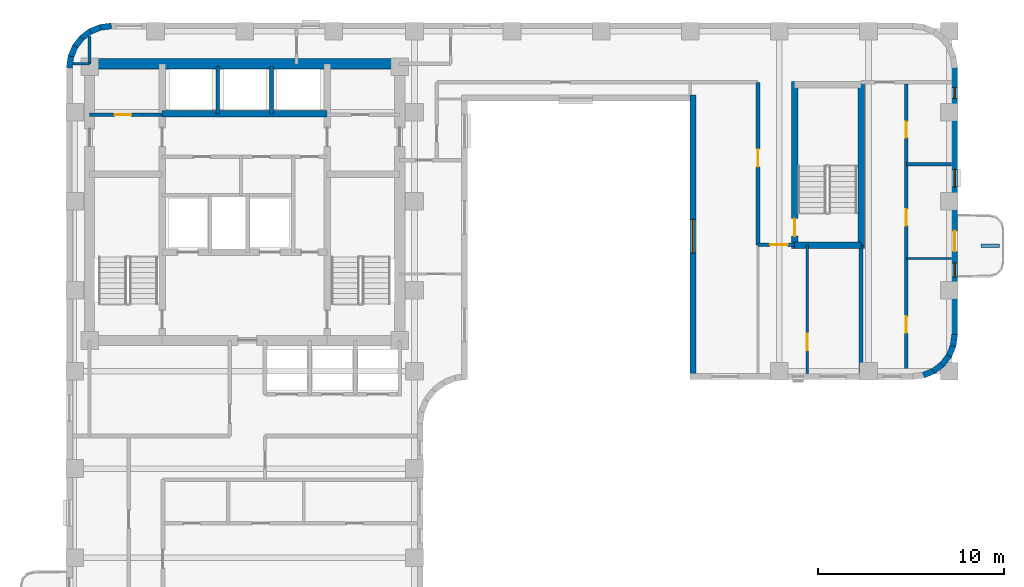
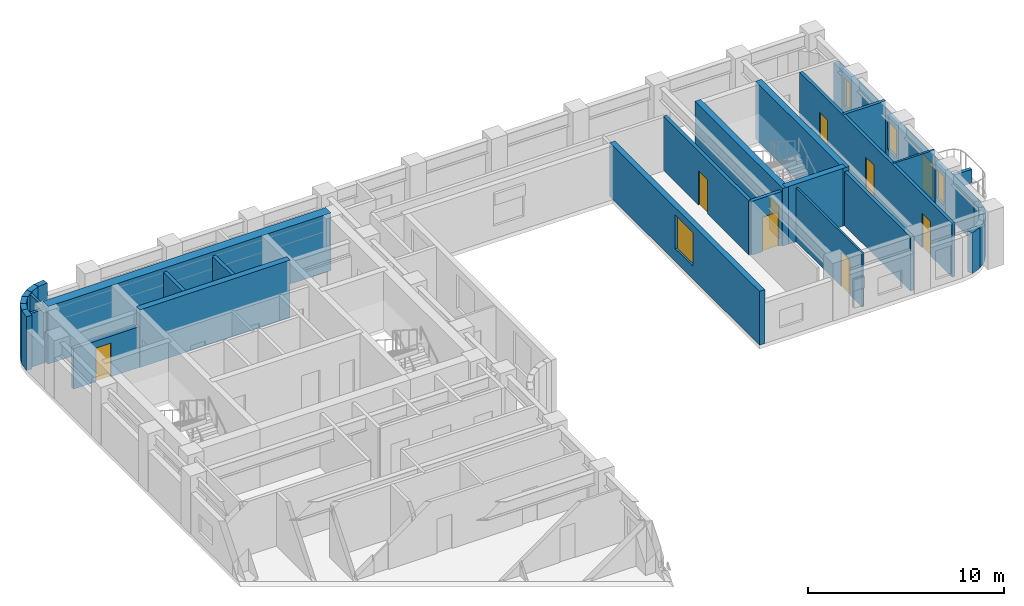
# One storey, part 5 of 9: 31 walls, 9 doors, 4 windows, 13 openings.
"""IFC4 building model written with IfcOpenShell, lengths in metres."""

from ifc_helpers import new_model, si_unit, direction, frame, frame_2d, origin, place, context, subcontext, project, spatial, rectangle, extrude, material, layer, layer_set, type_object, element, fill, save


model = new_model("IFC4")

# Units and contexts
model_context = context("Model", 3, precision=1e-05, world=origin(), true_north=direction((0.0, 1.0)))
body_context = subcontext(model_context, "Body", "Model", "MODEL_VIEW")
ifc_project = project(units=[si_unit("LENGTHUNIT", "METRE"), si_unit("AREAUNIT", "SQUARE_METRE"), si_unit("VOLUMEUNIT", "CUBIC_METRE"), si_unit("PLANEANGLEUNIT", "RADIAN"), si_unit("MASSUNIT", "GRAM", prefix="KILO")], contexts=[model_context])

# Site, building, storey
site_placement = place(None, origin())
site = spatial("IfcSite", under=ifc_project, at=site_placement, CompositionType="ELEMENT")
building_placement = place(site_placement, origin())
building = spatial("IfcBuilding", under=site, at=building_placement, Name="Orvandelia Arch Residences", CompositionType="ELEMENT")
storey_placement = place(building_placement, frame((0.0, 0.0, 186.39990234375)))
storey = spatial("IfcBuildingStorey", under=building, at=storey_placement, Name="L49", CompositionType="ELEMENT", Elevation=186.39990234375)

# Wall
ifc_material_1 = material(Name="Concrete C50/60", Category="concrete")
ifc_layer_1 = layer(ifc_material_1, 0.35009765625, Name="Concrete C50/60", Category="concrete")
ifc_layer_set_1 = layer_set([ifc_layer_1], Name="Concrete C50/60")
wall_type_1 = type_object("IfcWallType", Name="WL-CORE-350", PredefinedType="SHEAR", material=ifc_layer_set_1)
wall_1_placement = place(storey_placement, frame((9.9599609375, 43.10009765625, 0.0), z_axis=(0.0, 0.0, 1.0), x_axis=(1.0, 0.0, 0.0)))
element("IfcWall", 1, at=wall_1_placement, inside=storey, type_object=wall_type_1, Name="Core Shear Wall L49-HZ4", PredefinedType="SHEAR", context=body_context, shape_type="SweptSolid", body=[
    extrude(rectangle(XDim=8.880126953125, YDim=0.35009765625, at=frame_2d((4.43994140625, 0.0))), origin(), (0.0, 0.0, 1.0), 3.60009765625),
])

# Wall, opening, door
wall_2_placement = place(storey_placement, frame((44.02001953125, 35.864990234375, 0.0), z_axis=(0.0, 0.0, 1.0), x_axis=(0.0, 1.0, 0.0)))
wall_2 = element("IfcWall", 2, at=wall_2_placement, inside=storey, type_object=wall_type_1, Name="East Stair Core Shear Wall L49-W", PredefinedType="SHEAR", context=body_context, shape_type="SweptSolid", body=[
    extrude(rectangle(XDim=8.969970703125, YDim=0.35009765625, at=frame_2d((4.48486328125, 0.0))), origin(), (0.0, 0.0, 1.0), 3.60009765625),
])
opening_1_placement = place(wall_2_placement, frame((0.64990234375, 0.0, 0.0)))
opening_1 = element("IfcOpeningElement", 3, at=opening_1_placement, cuts=wall_2, Name="Opening D7", PredefinedType="OPENING", context=body_context, shape_type="SweptSolid", body=[
    extrude(rectangle(XDim=0.949951171875, YDim=2.10009765625, at=frame_2d((0.47509765625, 1.050048828125))), frame((0.0, 0.18505859375, 0.0), z_axis=(0.0, -1.0, 0.0), x_axis=(1.0, 0.0, 0.0)), (0.0, 0.0, 1.0), 0.3701171875),
])
ifc_material_2 = material(Name="Pressurised Stairwell Fire Door")
door_type_1 = type_object("IfcDoorType", Name="DR-STAIR-950", OperationType="NOTDEFINED", PredefinedType="DOOR", material=ifc_material_2)
door_1_placement = place(opening_1_placement, origin())
door_1 = element("IfcDoor", 4, at=door_1_placement, inside=storey, type_object=door_type_1, Name="East Stairwell ST-3 Fire Door L49", OperationType="SINGLE_SWING_LEFT", OverallHeight=2.10009765625, OverallWidth=0.949951171875, PredefinedType="DOOR", context=body_context, shape_type="SweptSolid", body=[
    extrude(rectangle(XDim=0.949951171875, YDim=2.10009765625, at=frame_2d((0.47509765625, 1.050048828125))), frame((0.0, 0.02490234375, 0.0), z_axis=(0.0, -1.0, 0.0), x_axis=(1.0, 0.0, 0.0)), (0.0, 0.0, 1.0), 0.050048828125),
])
fill(opening_1, door_1)

# Walls
wall_3_placement = place(storey_placement, frame((47.60009765625, 35.864990234375, 0.0), z_axis=(0.0, 0.0, 1.0), x_axis=(0.0, 1.0, 0.0)))
element("IfcWall", 5, at=wall_3_placement, inside=storey, type_object=wall_type_1, Name="East Stair Core Shear Wall L49-E", PredefinedType="SHEAR", context=body_context, shape_type="SweptSolid", body=[
    extrude(rectangle(XDim=8.969970703125, YDim=0.35009765625, at=frame_2d((4.48486328125, 0.0))), origin(), (0.0, 0.0, 1.0), 3.60009765625),
])
wall_4_placement = place(storey_placement, frame((44.02001953125, 36.0400390625, 0.0), z_axis=(0.0, 0.0, 1.0), x_axis=(1.0, 0.0, 0.0)))
element("IfcWall", 6, at=wall_4_placement, inside=storey, type_object=wall_type_1, Name="East Stair Core Shear Wall L49-S", PredefinedType="SHEAR", context=body_context, shape_type="SweptSolid", body=[
    extrude(rectangle(XDim=3.580078125, YDim=0.35009765625, at=frame_2d((1.7900390625, 0.0))), origin(), (0.0, 0.0, 1.0), 3.60009765625),
])
ifc_material_3 = material(Name="Concrete C60/75", Category="concrete")
ifc_layer_2 = layer(ifc_material_3, 0.550048828125, Name="Concrete C60/75", Category="concrete")
ifc_layer_set_2 = layer_set([ifc_layer_2], Name="Concrete C60/75")
wall_type_2 = type_object("IfcWallType", Name="WL-CORE-550", PredefinedType="SHEAR", material=ifc_layer_set_2)
wall_5_placement = place(storey_placement, frame((6.050048828125, 45.800048828125, 0.0), z_axis=(0.0, 0.0, 1.0), x_axis=(1.0, 0.0, 0.0)))
element("IfcWall", 7, at=wall_5_placement, inside=storey, type_object=wall_type_2, Name="Core Shear Wall L49-N", PredefinedType="SHEAR", context=body_context, shape_type="SweptSolid", body=[
    extrude(rectangle(XDim=16.699951171875, YDim=0.550048828125, at=frame_2d((8.35009765625, 0.0))), origin(), (0.0, 0.0, 1.0), 3.60009765625),
])

# Wall, opening, door
ifc_material_4 = material(Name="Fire-Rated Corridor Partition")
ifc_layer_3 = layer(ifc_material_4, 0.199951171875, Name="Fire-Rated Corridor Partition")
ifc_layer_set_3 = layer_set([ifc_layer_3], Name="Fire-Rated Corridor Partition")
wall_type_3 = type_object("IfcWallType", Name="WL-CORR-200", PredefinedType="PARTITIONING", material=ifc_layer_set_3)
wall_6_placement = place(storey_placement, frame((42.050048828125, 36.050048828125, 0.0), z_axis=(0.0, 0.0, 1.0), x_axis=(0.0, 1.0, 0.0)))
wall_6 = element("IfcWall", 8, at=wall_6_placement, inside=storey, type_object=wall_type_3, Name="Interior Partition Wall WL-L49-ENP-SW", PredefinedType="PARTITIONING", context=body_context, shape_type="SweptSolid", body=[
    extrude(rectangle(XDim=8.75, YDim=0.199951171875, at=frame_2d((4.375, 0.0))), origin(), (0.0, 0.0, 1.0), 3.360107421875),
])
opening_2_placement = place(wall_6_placement, frame((4.199951171875, 0.0, 0.0)))
opening_2 = element("IfcOpeningElement", 9, at=opening_2_placement, cuts=wall_6, Name="Opening D2", PredefinedType="OPENING", context=body_context, shape_type="SweptSolid", body=[
    extrude(rectangle(XDim=0.949951171875, YDim=2.14990234375, at=frame_2d((0.47509765625, 1.074951171875))), frame((0.0, 0.10986328125, 0.0), z_axis=(0.0, -1.0, 0.0), x_axis=(1.0, 0.0, 0.0)), (0.0, 0.0, 1.0), 0.219970703125),
])
ifc_material_5 = material(Name="Solid-Core Timber Interior Fire Door", Category="wood")
door_type_2 = type_object("IfcDoorType", Name="DR-APT-950", OperationType="NOTDEFINED", PredefinedType="DOOR", material=ifc_material_5)
door_2_placement = place(opening_2_placement, origin())
door_2 = element("IfcDoor", 10, at=door_2_placement, inside=storey, type_object=door_type_2, Name="DR-L49-VPE1", OperationType="SINGLE_SWING_LEFT", OverallHeight=2.14990234375, OverallWidth=0.949951171875, PredefinedType="DOOR", context=body_context, shape_type="SweptSolid", body=[
    extrude(rectangle(XDim=0.949951171875, YDim=2.14990234375, at=frame_2d((0.47509765625, 1.074951171875))), frame((0.0, 0.02490234375, 0.0), z_axis=(0.0, -1.0, 0.0), x_axis=(1.0, 0.0, 0.0)), (0.0, 0.0, 1.0), 0.050048828125),
])
fill(opening_2, door_2)

wall_7_placement = place(storey_placement, frame((42.050048828125, 36.050048828125, 0.0), z_axis=(0.0, 0.0, 1.0), x_axis=(1.0, 0.0, 0.0)))
wall_7 = element("IfcWall", 11, at=wall_7_placement, inside=storey, type_object=wall_type_3, Name="Interior Partition Wall WL-L49-ENP-SS", PredefinedType="PARTITIONING", context=body_context, shape_type="SweptSolid", body=[
    extrude(rectangle(XDim=1.969970703125, YDim=0.199951171875, at=frame_2d((0.98486328125, 0.0))), origin(), (0.0, 0.0, 1.0), 3.360107421875),
])
opening_3_placement = place(wall_7_placement, frame((0.64990234375, 0.0, 0.0)))
opening_3 = element("IfcOpeningElement", 12, at=opening_3_placement, cuts=wall_7, Name="Opening D2", PredefinedType="OPENING", context=body_context, shape_type="SweptSolid", body=[
    extrude(rectangle(XDim=0.949951171875, YDim=2.14990234375, at=frame_2d((0.47509765625, 1.074951171875))), frame((0.0, 0.10986328125, 0.0), z_axis=(0.0, -1.0, 0.0), x_axis=(1.0, 0.0, 0.0)), (0.0, 0.0, 1.0), 0.219970703125),
])
door_3_placement = place(opening_3_placement, origin())
door_3 = element("IfcDoor", 13, at=door_3_placement, inside=storey, type_object=door_type_2, Name="DR-L49-VPS3A", OperationType="SINGLE_SWING_LEFT", OverallHeight=2.14990234375, OverallWidth=0.949951171875, PredefinedType="DOOR", context=body_context, shape_type="SweptSolid", body=[
    extrude(rectangle(XDim=0.949951171875, YDim=2.14990234375, at=frame_2d((0.47509765625, 1.074951171875))), frame((0.0, 0.02490234375, 0.0), z_axis=(0.0, -1.0, 0.0), x_axis=(1.0, 0.0, 0.0)), (0.0, 0.0, 1.0), 0.050048828125),
])
fill(opening_3, door_3)

# Walls
ifc_material_6 = material(Name="Concrete C40/50", Category="concrete")
ifc_layer_4 = layer(ifc_material_6, 0.199951171875, Name="Concrete C40/50", Category="concrete")
ifc_layer_set_4 = layer_set([ifc_layer_4], Name="Concrete C40/50")
wall_type_4 = type_object("IfcWallType", Name="WL-DEM-200", PredefinedType="SOLIDWALL", material=ifc_layer_set_4)
wall_8_placement = place(storey_placement, frame((47.60009765625, 29.1201171875, 0.0), z_axis=(0.0, 0.0, 1.0), x_axis=(0.0, 1.0, 0.0)))
element("IfcWall", 14, at=wall_8_placement, inside=storey, type_object=wall_type_4, Name="Interior Partition Wall WL-L49-VPS3-E", PredefinedType="SOLIDWALL", context=body_context, shape_type="SweptSolid", body=[
    extrude(rectangle(XDim=6.919921875, YDim=0.199951171875, at=frame_2d((3.4599609375, 0.0))), origin(), (0.0, 0.0, 1.0), 3.360107421875),
])
ifc_material_7 = material(Name="Precast concrete C40/50", Category="concrete")
ifc_layer_5 = layer(ifc_material_7, 0.320068359375, Name="Precast concrete C40/50", Category="concrete")
ifc_layer_set_5 = layer_set([ifc_layer_5], Name="Precast concrete C40/50")
wall_type_5 = type_object("IfcWallType", Name="WL-EXT-STONE-320", PredefinedType="STANDARD", material=ifc_layer_set_5)
for number, where, z_axis, x_axis, name in (
    (15, (4.95849609375, 45.5791015625, 0.0), (0.0, 0.0, 1.0), (0.130555323746, 0.9914410257, 0.0), "Coral-Limestone Precast Facade Wall L49-001"),
    (16, (5.029541015625, 46.159912109375, 0.0), (0.0, 0.0, 1.0), (0.382650053678, 0.92389335771, 0.0), "Coral-Limestone Precast Facade Wall L49-002"),
):
    element("IfcWall", number, at=place(storey_placement, frame(where, z_axis=z_axis, x_axis=x_axis)), inside=storey, type_object=wall_type_5, Name=name, PredefinedType="STANDARD", context=body_context, shape_type="SweptSolid", body=[
        extrude(rectangle(XDim=0.62646484375, YDim=0.320068359375, at=frame_2d((0.313232421875, 0.0))), origin(), (0.0, 0.0, 1.0), 3.360107421875),
    ])
wall_9_placement = place(storey_placement, frame((5.248291015625, 46.70263671875, 0.0), z_axis=(0.0, 0.0, 1.0), x_axis=(0.608938521285, 0.7932174212, 0.0)))
element("IfcWall", 17, at=wall_9_placement, inside=storey, type_object=wall_type_5, Name="Coral-Limestone Precast Facade Wall L49-003", PredefinedType="STANDARD", context=body_context, shape_type="SweptSolid", body=[
    extrude(rectangle(XDim=0.626708984375, YDim=0.320068359375, at=frame_2d((0.3134765625, 0.0))), origin(), (0.0, 0.0, 1.0), 3.360107421875),
])
wall_10_placement = place(storey_placement, frame((5.600341796875, 47.170166015625, 0.0), z_axis=(0.0, 0.0, 1.0), x_axis=(0.793405610854, 0.608693302629, 0.0)))
element("IfcWall", 18, at=wall_10_placement, inside=storey, type_object=wall_type_5, Name="Coral-Limestone Precast Facade Wall L49-004", PredefinedType="STANDARD", context=body_context, shape_type="SweptSolid", body=[
    extrude(rectangle(XDim=0.62646484375, YDim=0.320068359375, at=frame_2d((0.313232421875, 0.0))), origin(), (0.0, 0.0, 1.0), 3.360107421875),
])
wall_11_placement = place(storey_placement, frame((6.061279296875, 47.53076171875, 0.0), z_axis=(0.0, 0.0, 1.0), x_axis=(0.923836271867, 0.382787856107, 0.0)))
element("IfcWall", 19, at=wall_11_placement, inside=storey, type_object=wall_type_5, Name="Coral-Limestone Precast Facade Wall L49-005", PredefinedType="STANDARD", context=body_context, shape_type="SweptSolid", body=[
    extrude(rectangle(XDim=0.626220703125, YDim=0.320068359375, at=frame_2d((0.31298828125, 0.0))), origin(), (0.0, 0.0, 1.0), 3.360107421875),
])
wall_12_placement = place(storey_placement, frame((6.599609375, 47.759521484375, 0.0), z_axis=(0.0, 0.0, 1.0), x_axis=(0.991447664465, 0.130504898859, 0.0)))
element("IfcWall", 20, at=wall_12_placement, inside=storey, type_object=wall_type_5, Name="Coral-Limestone Precast Facade Wall L49-006", PredefinedType="STANDARD", context=body_context, shape_type="SweptSolid", body=[
    extrude(rectangle(XDim=0.626708984375, YDim=0.320068359375, at=frame_2d((0.3134765625, 0.0))), origin(), (0.0, 0.0, 1.0), 3.360107421875),
])

# Wall, openings, door, windows
wall_13_placement = place(storey_placement, frame((52.639892578125, 45.60009765625, 0.0), z_axis=(0.0, 0.0, 1.0), x_axis=(0.0, -1.0, 0.0)))
wall_13 = element("IfcWall", 21, at=wall_13_placement, inside=storey, type_object=wall_type_5, Name="Coral-Limestone Precast Facade Wall L49-014", PredefinedType="STANDARD", context=body_context, shape_type="SweptSolid", body=[
    extrude(rectangle(XDim=14.400146484375, YDim=0.320068359375, at=frame_2d((7.2001953125, 0.0))), origin(), (0.0, 0.0, 1.0), 2.5400390625),
])
opening_4_placement = place(wall_13_placement, frame((8.800048828125, 0.0, 0.0)))
opening_4 = element("IfcOpeningElement", 22, at=opening_4_placement, cuts=wall_13, Name="Opening BD1", PredefinedType="OPENING", context=body_context, shape_type="SweptSolid", body=[
    extrude(rectangle(XDim=1.10009765625, YDim=2.14990234375, at=frame_2d((0.550048828125, 1.074951171875))), frame((0.0, 0.169921875, 0.0), z_axis=(0.0, -1.0, 0.0), x_axis=(1.0, 0.0, 0.0)), (0.0, 0.0, 1.0), 0.340087890625),
])
opening_5_placement = place(wall_13_placement, frame((10.51953125, 0.0, 0.449951171875)))
opening_5 = element("IfcOpeningElement", 23, at=opening_5_placement, cuts=wall_13, Name="Opening W11", PredefinedType="OPENING", context=body_context, shape_type="SweptSolid", body=[
    extrude(rectangle(XDim=0.75, YDim=1.800048828125, at=frame_2d((0.375, 0.89990234375))), frame((0.0, 0.169921875, 0.0), z_axis=(0.0, -1.0, 0.0), x_axis=(1.0, 0.0, 0.0)), (0.0, 0.0, 1.0), 0.340087890625),
])
opening_6_placement = place(wall_13_placement, frame((1.0625, 0.0, 0.449951171875)))
opening_6 = element("IfcOpeningElement", 24, at=opening_6_placement, cuts=wall_13, Name="Opening W12", PredefinedType="OPENING", context=body_context, shape_type="SweptSolid", body=[
    extrude(rectangle(XDim=0.60009765625, YDim=1.800048828125, at=frame_2d((0.300048828125, 0.89990234375))), frame((0.0, 0.169921875, 0.0), z_axis=(0.0, -1.0, 0.0), x_axis=(1.0, 0.0, 0.0)), (0.0, 0.0, 1.0), 0.340087890625),
])
opening_7_placement = place(wall_13_placement, frame((5.486083984375, 0.0, 0.449951171875)))
opening_7 = element("IfcOpeningElement", 25, at=opening_7_placement, cuts=wall_13, Name="Opening W4", PredefinedType="OPENING", context=body_context, shape_type="SweptSolid", body=[
    extrude(rectangle(XDim=0.949951171875, YDim=1.800048828125, at=frame_2d((0.47509765625, 0.89990234375))), frame((0.0, 0.169921875, 0.0), z_axis=(0.0, -1.0, 0.0), x_axis=(1.0, 0.0, 0.0)), (0.0, 0.0, 1.0), 0.340087890625),
])
ifc_material_8 = material(Name="Thermally Broken Aluminium Glazed Door", Category="aluminium")
door_type_3 = type_object("IfcDoorType", Name="DR-BAL-GLAZ-1100", OperationType="NOTDEFINED", PredefinedType="DOOR", material=ifc_material_8)
door_4_placement = place(opening_4_placement, origin())
door_4 = element("IfcDoor", 26, at=door_4_placement, inside=storey, type_object=door_type_3, Name="Tree Balcony Glazed Door BAL-L49-E1", OperationType="SINGLE_SWING_LEFT", OverallHeight=2.14990234375, OverallWidth=1.10009765625, PredefinedType="DOOR", context=body_context, shape_type="SweptSolid", body=[
    extrude(rectangle(XDim=1.10009765625, YDim=2.14990234375, at=frame_2d((0.550048828125, 1.074951171875))), frame((0.0, 0.02490234375, 0.0), z_axis=(0.0, -1.0, 0.0), x_axis=(1.0, 0.0, 0.0)), (0.0, 0.0, 1.0), 0.050048828125),
])
fill(opening_4, door_4)
ifc_material_9 = material(Name="Tempered Low-E Insulated Glazing", Category="glass")
window_type_1 = type_object("IfcWindowType", Name="WIN-BED-0750x1800", PartitioningType="SINGLE_PANEL", PredefinedType="WINDOW", material=ifc_material_9)
window_1_placement = place(opening_5_placement, origin())
window_1 = element("IfcWindow", 27, at=window_1_placement, inside=storey, type_object=window_type_1, Name="Recessed Punched Window L49-004", OverallHeight=1.800048828125, OverallWidth=0.75, PartitioningType="SINGLE_PANEL", PredefinedType="WINDOW", context=body_context, shape_type="SweptSolid", body=[
    extrude(rectangle(XDim=0.75, YDim=1.800048828125, at=frame_2d((0.375, 0.89990234375))), frame((0.0, 0.030029296875, 0.0), z_axis=(0.0, -1.0, 0.0), x_axis=(1.0, 0.0, 0.0)), (0.0, 0.0, 1.0), 0.06005859375),
])
fill(opening_5, window_1)
window_type_2 = type_object("IfcWindowType", Name="WIN-LAN-0600x1800", PartitioningType="SINGLE_PANEL", PredefinedType="WINDOW", material=ifc_material_9)
window_2_placement = place(opening_6_placement, origin())
window_2 = element("IfcWindow", 28, at=window_2_placement, inside=storey, type_object=window_type_2, Name="Recessed Punched Window L49-005", OverallHeight=1.800048828125, OverallWidth=0.60009765625, PartitioningType="SINGLE_PANEL", PredefinedType="WINDOW", context=body_context, shape_type="SweptSolid", body=[
    extrude(rectangle(XDim=0.60009765625, YDim=1.800048828125, at=frame_2d((0.300048828125, 0.89990234375))), frame((0.0, 0.030029296875, 0.0), z_axis=(0.0, -1.0, 0.0), x_axis=(1.0, 0.0, 0.0)), (0.0, 0.0, 1.0), 0.06005859375),
])
fill(opening_6, window_2)
window_type_3 = type_object("IfcWindowType", Name="WIN-RES-0950x1800", PartitioningType="SINGLE_PANEL", PredefinedType="WINDOW", material=ifc_material_9)
window_3_placement = place(opening_7_placement, origin())
window_3 = element("IfcWindow", 29, at=window_3_placement, inside=storey, type_object=window_type_3, Name="Recessed Punched Window L49-006", OverallHeight=1.800048828125, OverallWidth=0.949951171875, PartitioningType="SINGLE_PANEL", PredefinedType="WINDOW", context=body_context, shape_type="SweptSolid", body=[
    extrude(rectangle(XDim=0.949951171875, YDim=1.800048828125, at=frame_2d((0.47509765625, 0.89990234375))), frame((0.0, 0.030029296875, 0.0), z_axis=(0.0, -1.0, 0.0), x_axis=(1.0, 0.0, 0.0)), (0.0, 0.0, 1.0), 0.06005859375),
])
fill(opening_7, window_3)

# Walls
wall_14_placement = place(storey_placement, frame((52.641357421875, 31.220947265625, 0.0), z_axis=(0.0, 0.0, 1.0), x_axis=(-0.130504898859, -0.991447664465, 0.0)))
element("IfcWall", 30, at=wall_14_placement, inside=storey, type_object=wall_type_5, Name="Coral-Limestone Precast Facade Wall L49-015", PredefinedType="STANDARD", context=body_context, shape_type="SweptSolid", body=[
    extrude(rectangle(XDim=0.626708984375, YDim=0.320068359375, at=frame_2d((0.3134765625, 0.0))), origin(), (0.0, 0.0, 1.0), 2.5400390625),
])
wall_15_placement = place(storey_placement, frame((52.5703125, 30.639892578125, 0.0), z_axis=(0.0, 0.0, 1.0), x_axis=(-0.382455093999, -0.923974080304, 0.0)))
element("IfcWall", 31, at=wall_15_placement, inside=storey, type_object=wall_type_5, Name="Coral-Limestone Precast Facade Wall L49-016", PredefinedType="STANDARD", context=body_context, shape_type="SweptSolid", body=[
    extrude(rectangle(XDim=0.626220703125, YDim=0.320068359375, at=frame_2d((0.31298828125, 0.0))), origin(), (0.0, 0.0, 1.0), 2.5400390625),
])
wall_16_placement = place(storey_placement, frame((52.3515625, 30.097412109375, 0.0), z_axis=(0.0, 0.0, 1.0), x_axis=(-0.608693302629, -0.793405610854, 0.0)))
element("IfcWall", 32, at=wall_16_placement, inside=storey, type_object=wall_type_5, Name="Coral-Limestone Precast Facade Wall L49-017", PredefinedType="STANDARD", context=body_context, shape_type="SweptSolid", body=[
    extrude(rectangle(XDim=0.62646484375, YDim=0.320068359375, at=frame_2d((0.313232421875, 0.0))), origin(), (0.0, 0.0, 1.0), 2.5400390625),
])
wall_17_placement = place(storey_placement, frame((51.999755859375, 29.6298828125, 0.0), z_axis=(0.0, 0.0, 1.0), x_axis=(-0.7932174212, -0.608938521285, 0.0)))
element("IfcWall", 33, at=wall_17_placement, inside=storey, type_object=wall_type_5, Name="Coral-Limestone Precast Facade Wall L49-018", PredefinedType="STANDARD", context=body_context, shape_type="SweptSolid", body=[
    extrude(rectangle(XDim=0.626708984375, YDim=0.320068359375, at=frame_2d((0.3134765625, 0.0))), origin(), (0.0, 0.0, 1.0), 2.5400390625),
])
wall_18_placement = place(storey_placement, frame((51.538818359375, 29.269287109375, 0.0), z_axis=(0.0, 0.0, 1.0), x_axis=(-0.92389335771, -0.382650053678, 0.0)))
element("IfcWall", 34, at=wall_18_placement, inside=storey, type_object=wall_type_5, Name="Coral-Limestone Precast Facade Wall L49-019", PredefinedType="STANDARD", context=body_context, shape_type="SweptSolid", body=[
    extrude(rectangle(XDim=0.62646484375, YDim=0.320068359375, at=frame_2d((0.313232421875, 0.0))), origin(), (0.0, 0.0, 1.0), 2.5400390625),
])

# Wall, opening, window
wall_19_placement = place(storey_placement, frame((38.56005859375, 28.800048828125, 0.0), z_axis=(0.0, 0.0, 1.0), x_axis=(0.0, 1.0, 0.0)))
wall_19 = element("IfcWall", 35, at=wall_19_placement, inside=storey, type_object=wall_type_5, Name="Coral-Limestone Precast Facade Wall L49-022", PredefinedType="STANDARD", context=body_context, shape_type="SweptSolid", body=[
    extrude(rectangle(XDim=15.320068359375, YDim=0.320068359375, at=frame_2d((7.66015625, 0.0))), origin(), (0.0, 0.0, 1.0), 3.360107421875),
])
opening_8_placement = place(wall_19_placement, frame((6.820068359375, 0.0, 0.800048828125)))
opening_8 = element("IfcOpeningElement", 36, at=opening_8_placement, cuts=wall_19, Name="Opening W1", PredefinedType="OPENING", context=body_context, shape_type="SweptSolid", body=[
    extrude(rectangle(XDim=1.800048828125, YDim=2.10009765625, at=frame_2d((0.89990234375, 1.050048828125))), frame((0.0, 0.169921875, 0.0), z_axis=(0.0, -1.0, 0.0), x_axis=(1.0, 0.0, 0.0)), (0.0, 0.0, 1.0), 0.340087890625),
])
window_type_4 = type_object("IfcWindowType", Name="WIN-RES-1800x2100", PartitioningType="SINGLE_PANEL", PredefinedType="WINDOW", material=ifc_material_9)
window_4_placement = place(opening_8_placement, origin())
window_4 = element("IfcWindow", 37, at=window_4_placement, inside=storey, type_object=window_type_4, Name="Recessed Punched Window L49-011", OverallHeight=2.10009765625, OverallWidth=1.800048828125, PartitioningType="SINGLE_PANEL", PredefinedType="WINDOW", context=body_context, shape_type="SweptSolid", body=[
    extrude(rectangle(XDim=1.800048828125, YDim=2.10009765625, at=frame_2d((0.89990234375, 1.050048828125))), frame((0.0, 0.030029296875, 0.0), z_axis=(0.0, -1.0, 0.0), x_axis=(1.0, 0.0, 0.0)), (0.0, 0.0, 1.0), 0.06005859375),
])
fill(opening_8, window_4)

# Wall, opening, door
ifc_material_10 = material(Name="Lightweight Gypsum Stud Partition")
ifc_layer_6 = layer(ifc_material_10, 0.1201171875, Name="Lightweight Gypsum Stud Partition")
ifc_layer_set_6 = layer_set([ifc_layer_6], Name="Lightweight Gypsum Stud Partition")
wall_type_6 = type_object("IfcWallType", Name="WL-PART-120", PredefinedType="PARTITIONING", material=ifc_layer_set_6)
wall_20_placement = place(storey_placement, frame((44.699951171875, 29.1201171875, 0.0), z_axis=(0.0, 0.0, 1.0), x_axis=(0.0, 1.0, 0.0)))
wall_20 = element("IfcWall", 38, at=wall_20_placement, inside=storey, type_object=wall_type_6, Name="Interior Partition Wall WL-L49-VPS3-M", PredefinedType="PARTITIONING", context=body_context, shape_type="SweptSolid", body=[
    extrude(rectangle(XDim=6.919921875, YDim=0.1201171875, at=frame_2d((3.4599609375, 0.0))), origin(), (0.0, 0.0, 1.0), 3.360107421875),
])
opening_9_placement = place(wall_20_placement, frame((1.239990234375, 0.0, 0.0)))
opening_9 = element("IfcOpeningElement", 39, at=opening_9_placement, cuts=wall_20, Name="Opening D3", PredefinedType="OPENING", context=body_context, shape_type="SweptSolid", body=[
    extrude(rectangle(XDim=0.89990234375, YDim=2.14990234375, at=frame_2d((0.449951171875, 1.074951171875))), frame((0.0, 0.070068359375, 0.0), z_axis=(0.0, -1.0, 0.0), x_axis=(1.0, 0.0, 0.0)), (0.0, 0.0, 1.0), 0.14013671875),
])
ifc_material_11 = material(Name="Engineered Timber Flush Door", Category="wood")
door_type_4 = type_object("IfcDoorType", Name="DR-INT-900", OperationType="NOTDEFINED", PredefinedType="DOOR", material=ifc_material_11)
door_5_placement = place(opening_9_placement, origin())
door_5 = element("IfcDoor", 40, at=door_5_placement, inside=storey, type_object=door_type_4, Name="DR-L49-VPS3B", OperationType="SINGLE_SWING_RIGHT", OverallHeight=2.14990234375, OverallWidth=0.89990234375, PredefinedType="DOOR", context=body_context, shape_type="SweptSolid", body=[
    extrude(rectangle(XDim=0.89990234375, YDim=2.14990234375, at=frame_2d((0.449951171875, 1.074951171875))), frame((0.0, 0.02490234375, 0.0), z_axis=(0.0, -1.0, 0.0), x_axis=(1.0, 0.0, 0.0)), (0.0, 0.0, 1.0), 0.050048828125),
])
fill(opening_9, door_5)

# Walls
wall_21_placement = place(storey_placement, frame((50.04296875, 35.31591796875, 0.0), z_axis=(0.0, 0.0, 1.0), x_axis=(1.0, 0.0, 0.0)))
element("IfcWall", 41, at=wall_21_placement, inside=storey, type_object=wall_type_6, Name="Interior Partition Wall WL-L49-U03-H1", PredefinedType="PARTITIONING", context=body_context, shape_type="SweptSolid", body=[
    extrude(rectangle(XDim=2.43701171875, YDim=0.1201171875, at=frame_2d((1.218505859375, 0.0))), origin(), (0.0, 0.0, 1.0), 3.360107421875),
])
ifc_material_12 = material(Name="Acoustic Gypsum Stud Partition")
ifc_layer_7 = layer(ifc_material_12, 0.14990234375, Name="Acoustic Gypsum Stud Partition")
ifc_layer_set_7 = layer_set([ifc_layer_7], Name="Acoustic Gypsum Stud Partition")
wall_type_7 = type_object("IfcWallType", Name="WL-PART-150", PredefinedType="PARTITIONING", material=ifc_layer_set_7)
wall_22_placement = place(storey_placement, frame((5.159912109375, 45.800048828125, 0.0), z_axis=(0.0, 0.0, 1.0), x_axis=(1.0, 0.0, 0.0)))
element("IfcWall", 42, at=wall_22_placement, inside=storey, type_object=wall_type_7, Name="Interior Partition Wall WL-L49-WF-N", PredefinedType="PARTITIONING", context=body_context, shape_type="SweptSolid", body=[
    extrude(rectangle(XDim=0.89013671875, YDim=0.14990234375, at=frame_2d((0.445068359375, 0.0))), origin(), (0.0, 0.0, 1.0), 3.360107421875),
])
wall_23_placement = place(storey_placement, frame((6.050048828125, 45.800048828125, 0.0), z_axis=(0.0, 0.0, 1.0), x_axis=(0.0, 1.0, 0.0)))
element("IfcWall", 43, at=wall_23_placement, inside=storey, type_object=wall_type_7, Name="Interior Partition Wall WL-L49-NC-W6", PredefinedType="PARTITIONING", context=body_context, shape_type="SweptSolid", body=[
    extrude(rectangle(XDim=1.4599609375, YDim=0.14990234375, at=frame_2d((0.72998046875, 0.0))), origin(), (0.0, 0.0, 1.0), 3.360107421875),
])
ifc_layer_8 = layer(ifc_material_7, 0.199951171875, Name="Precast concrete C40/50", Category="concrete")
ifc_layer_set_8 = layer_set([ifc_layer_8], Name="Precast concrete C40/50")
wall_type_8 = type_object("IfcWallType", Name="WL-PLANTER-200", PredefinedType="MOVABLE", material=ifc_layer_set_8)
wall_24_placement = place(storey_placement, frame((54.050048828125, 36.0, 0.0), z_axis=(0.0, 0.0, 1.0), x_axis=(1.0, 0.0, 0.0)))
element("IfcWall", 44, at=wall_24_placement, inside=storey, type_object=wall_type_8, Name="Balcony Precast Tree Planter BAL-L49-E1", PredefinedType="MOVABLE", context=body_context, shape_type="SweptSolid", body=[
    extrude(rectangle(XDim=1.0, YDim=0.199951171875, at=frame_2d((0.5, 0.0))), origin(), (0.0, 0.0, 1.0), 0.85009765625),
])

# Wall, opening, door
ifc_material_13 = material(Name="Fire-Rated Shaft Enclosure Wall")
ifc_layer_9 = layer(ifc_material_13, 0.199951171875, Name="Fire-Rated Shaft Enclosure Wall")
ifc_layer_set_9 = layer_set([ifc_layer_9], Name="Fire-Rated Shaft Enclosure Wall")
wall_type_9 = type_object("IfcWallType", Name="WL-SHAFT-200", PredefinedType="POLYGONAL", material=ifc_layer_set_9)
wall_25_placement = place(storey_placement, frame((6.050048828125, 43.050048828125, 0.0), z_axis=(0.0, 0.0, 1.0), x_axis=(1.0, 0.0, 0.0)))
wall_25 = element("IfcWall", 45, at=wall_25_placement, inside=storey, type_object=wall_type_9, Name="Interior Partition Wall WL-L49-HLW-N", PredefinedType="POLYGONAL", context=body_context, shape_type="SweptSolid", body=[
    extrude(rectangle(XDim=3.909912109375, YDim=0.199951171875, at=frame_2d((1.955078125, 0.0))), origin(), (0.0, 0.0, 1.0), 2.5400390625),
])
opening_10_placement = place(wall_25_placement, frame((1.35009765625, 0.0, 0.0)))
opening_10 = element("IfcOpeningElement", 46, at=opening_10_placement, cuts=wall_25, Name="Opening D5", PredefinedType="OPENING", context=body_context, shape_type="SweptSolid", body=[
    extrude(rectangle(XDim=0.8798828125, YDim=2.10009765625, at=frame_2d((0.43994140625, 1.050048828125))), frame((0.0, 0.10986328125, 0.0), z_axis=(0.0, -1.0, 0.0), x_axis=(1.0, 0.0, 0.0)), (0.0, 0.0, 1.0), 0.219970703125),
])
ifc_material_14 = material(Name="Painted Galvanised Steel Service Door", Category="steel")
door_type_5 = type_object("IfcDoorType", Name="DR-SRV-880", OperationType="NOTDEFINED", PredefinedType="DOOR", material=ifc_material_14)
door_6_placement = place(opening_10_placement, origin())
door_6 = element("IfcDoor", 47, at=door_6_placement, inside=storey, type_object=door_type_5, Name="Riser Service Door L49", OperationType="SINGLE_SWING_RIGHT", OverallHeight=2.10009765625, OverallWidth=0.8798828125, PredefinedType="DOOR", context=body_context, shape_type="SweptSolid", body=[
    extrude(rectangle(XDim=0.8798828125, YDim=2.10009765625, at=frame_2d((0.43994140625, 1.050048828125))), frame((0.0, 0.02490234375, 0.0), z_axis=(0.0, -1.0, 0.0), x_axis=(1.0, 0.0, 0.0)), (0.0, 0.0, 1.0), 0.050048828125),
])
fill(opening_10, door_6)

# Walls
for number, where, z_axis, x_axis, name in (
    (48, (12.949951171875, 43.10009765625, 0.0), (0.0, 0.0, 1.0), (0.0, 1.0, 0.0), "Interior Partition Wall WL-L49-PHD1"),
    (49, (15.85009765625, 43.10009765625, 0.0), (0.0, 0.0, 1.0), (0.0, 1.0, 0.0), "Interior Partition Wall WL-L49-PHD2"),
):
    element("IfcWall", number, at=place(storey_placement, frame(where, z_axis=z_axis, x_axis=x_axis)), inside=storey, type_object=wall_type_9, Name=name, PredefinedType="POLYGONAL", context=body_context, shape_type="SweptSolid", body=[
        extrude(rectangle(XDim=2.5498046875, YDim=0.199951171875, at=frame_2d((1.27490234375, 0.0))), origin(), (0.0, 0.0, 1.0), 3.360107421875),
    ])

# Wall, openings, doors
ifc_material_15 = material(Name="Moisture-Resistant Plumbing Wall")
ifc_layer_10 = layer(ifc_material_15, 0.179931640625, Name="Moisture-Resistant Plumbing Wall")
ifc_layer_set_10 = layer_set([ifc_layer_10], Name="Moisture-Resistant Plumbing Wall")
wall_type_10 = type_object("IfcWallType", Name="WL-WET-180", PredefinedType="PLUMBINGWALL", material=ifc_layer_set_10)
wall_26_placement = place(storey_placement, frame((50.04296875, 29.1201171875, 0.0), z_axis=(0.0, 0.0, 1.0), x_axis=(0.0, 1.0, 0.0)))
wall_26 = element("IfcWall", 50, at=wall_26_placement, inside=storey, type_object=wall_type_10, Name="Interior Partition Wall WL-L49-U03-VT", PredefinedType="PLUMBINGWALL", context=body_context, shape_type="SweptSolid", body=[
    extrude(rectangle(XDim=15.579833984375, YDim=0.179931640625, at=frame_2d((7.7900390625, 0.0))), origin(), (0.0, 0.0, 1.0), 3.360107421875),
])
opening_11_placement = place(wall_26_placement, frame((2.1826171875, 0.0, 0.0)))
opening_11 = element("IfcOpeningElement", 51, at=opening_11_placement, cuts=wall_26, Name="Opening D3", PredefinedType="OPENING", context=body_context, shape_type="SweptSolid", body=[
    extrude(rectangle(XDim=0.89990234375, YDim=2.14990234375, at=frame_2d((0.449951171875, 1.074951171875))), frame((0.0, 0.10009765625, 0.0), z_axis=(0.0, -1.0, 0.0), x_axis=(1.0, 0.0, 0.0)), (0.0, 0.0, 1.0), 0.199951171875),
])
opening_12_placement = place(wall_26_placement, frame((7.958740234375, 0.0, 0.0)))
opening_12 = element("IfcOpeningElement", 52, at=opening_12_placement, cuts=wall_26, Name="Opening D3", PredefinedType="OPENING", context=body_context, shape_type="SweptSolid", body=[
    extrude(rectangle(XDim=0.89990234375, YDim=2.14990234375, at=frame_2d((0.449951171875, 1.074951171875))), frame((0.0, 0.10009765625, 0.0), z_axis=(0.0, -1.0, 0.0), x_axis=(1.0, 0.0, 0.0)), (0.0, 0.0, 1.0), 0.199951171875),
])
opening_13_placement = place(wall_26_placement, frame((12.710693359375, 0.0, 0.0)))
opening_13 = element("IfcOpeningElement", 53, at=opening_13_placement, cuts=wall_26, Name="Opening D4", PredefinedType="OPENING", context=body_context, shape_type="SweptSolid", body=[
    extrude(rectangle(XDim=0.860107421875, YDim=2.10009765625, at=frame_2d((0.43017578125, 1.050048828125))), frame((0.0, 0.10009765625, 0.0), z_axis=(0.0, -1.0, 0.0), x_axis=(1.0, 0.0, 0.0)), (0.0, 0.0, 1.0), 0.199951171875),
])
door_7_placement = place(opening_11_placement, origin())
door_7 = element("IfcDoor", 54, at=door_7_placement, inside=storey, type_object=door_type_4, Name="DR-L49-U03-BD1", OperationType="SINGLE_SWING_LEFT", OverallHeight=2.14990234375, OverallWidth=0.89990234375, PredefinedType="DOOR", context=body_context, shape_type="SweptSolid", body=[
    extrude(rectangle(XDim=0.89990234375, YDim=2.14990234375, at=frame_2d((0.449951171875, 1.074951171875))), frame((0.0, 0.02490234375, 0.0), z_axis=(0.0, -1.0, 0.0), x_axis=(1.0, 0.0, 0.0)), (0.0, 0.0, 1.0), 0.050048828125),
])
fill(opening_11, door_7)
door_8_placement = place(opening_12_placement, origin())
door_8 = element("IfcDoor", 55, at=door_8_placement, inside=storey, type_object=door_type_4, Name="DR-L49-U03-KIT", OperationType="SINGLE_SWING_RIGHT", OverallHeight=2.14990234375, OverallWidth=0.89990234375, PredefinedType="DOOR", context=body_context, shape_type="SweptSolid", body=[
    extrude(rectangle(XDim=0.89990234375, YDim=2.14990234375, at=frame_2d((0.449951171875, 1.074951171875))), frame((0.0, 0.02490234375, 0.0), z_axis=(0.0, -1.0, 0.0), x_axis=(1.0, 0.0, 0.0)), (0.0, 0.0, 1.0), 0.050048828125),
])
fill(opening_12, door_8)
ifc_material_16 = material(Name="Moisture-Sealed Timber Bathroom Door", Category="wood")
door_type_6 = type_object("IfcDoorType", Name="DR-WET-900", OperationType="NOTDEFINED", PredefinedType="DOOR", material=ifc_material_16)
door_9_placement = place(opening_13_placement, origin())
door_9 = element("IfcDoor", 56, at=door_9_placement, inside=storey, type_object=door_type_6, Name="DR-L49-U03-BTH", OperationType="SINGLE_SWING_LEFT", OverallHeight=2.10009765625, OverallWidth=0.860107421875, PredefinedType="DOOR", context=body_context, shape_type="SweptSolid", body=[
    extrude(rectangle(XDim=0.860107421875, YDim=2.10009765625, at=frame_2d((0.43017578125, 1.050048828125))), frame((0.0, 0.02490234375, 0.0), z_axis=(0.0, -1.0, 0.0), x_axis=(1.0, 0.0, 0.0)), (0.0, 0.0, 1.0), 0.050048828125),
])
fill(opening_13, door_9)

# Wall
wall_27_placement = place(storey_placement, frame((50.04296875, 40.383056640625, 0.0), z_axis=(0.0, 0.0, 1.0), x_axis=(1.0, 0.0, 0.0)))
element("IfcWall", 57, at=wall_27_placement, inside=storey, type_object=wall_type_10, Name="Interior Partition Wall WL-L49-U03-H2", PredefinedType="PLUMBINGWALL", context=body_context, shape_type="SweptSolid", body=[
    extrude(rectangle(XDim=2.43701171875, YDim=0.179931640625, at=frame_2d((1.218505859375, 0.0))), origin(), (0.0, 0.0, 1.0), 3.360107421875),
])

save(model, "model.ifc")
